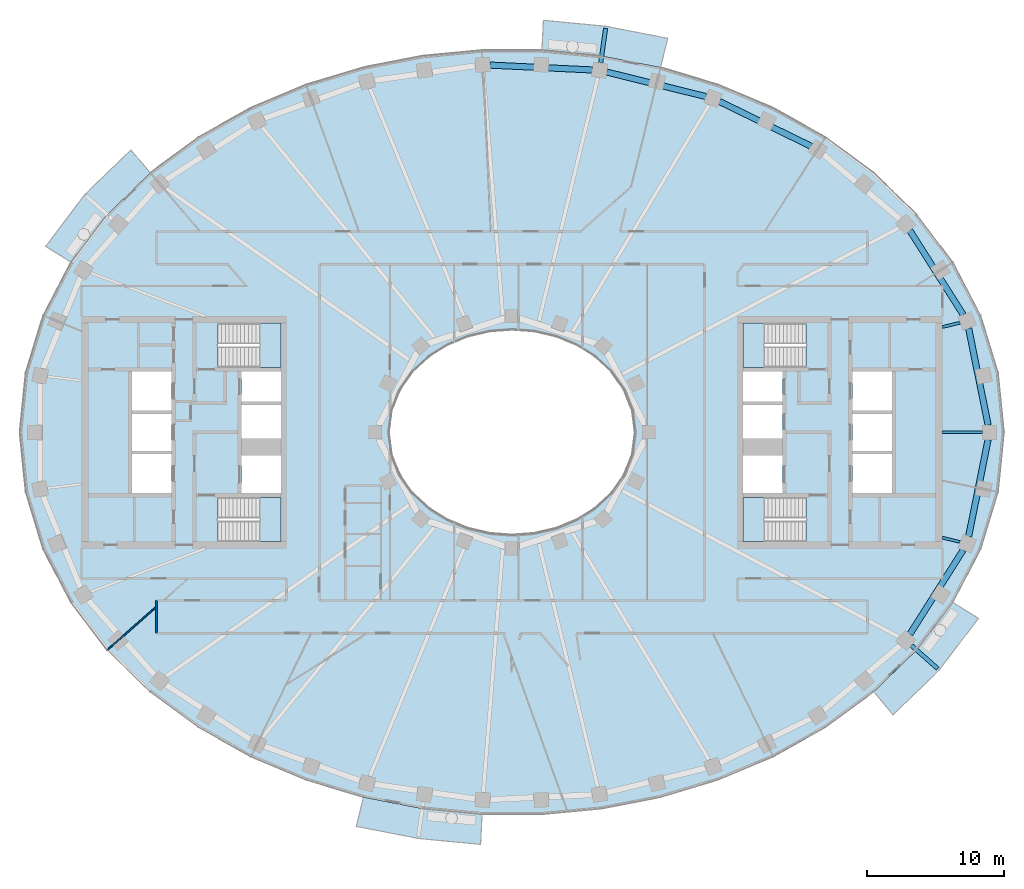
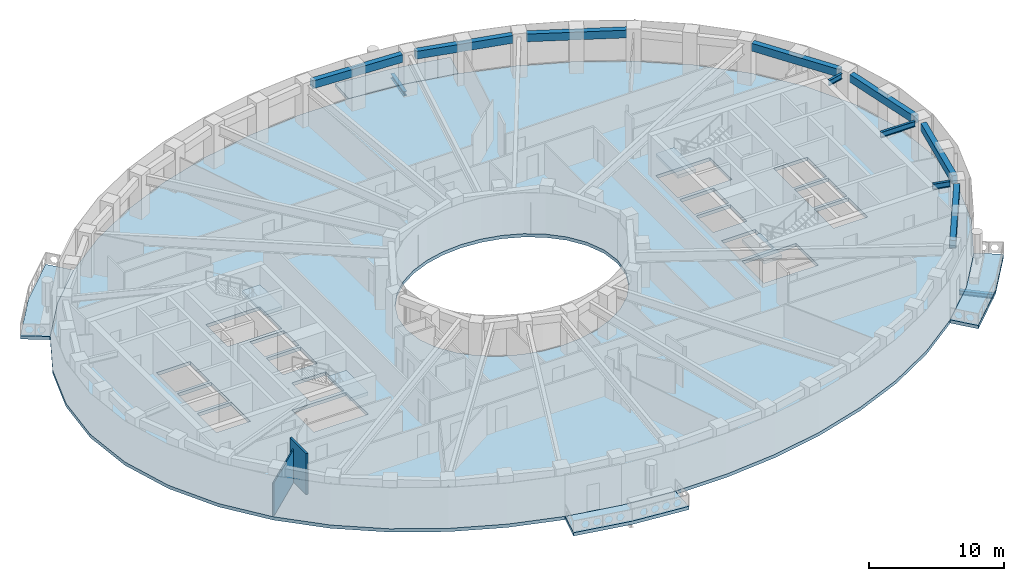
# One storey, part 2 of 16: 12 beams, 9 slabs, 2 walls, 4 elements without a shape of their own.
"""IFC4 building model written with IfcOpenShell, lengths in metres."""

from ifc_helpers import new_model, si_unit, direction, frame, frame_2d, origin, origin_2d, place, context, subcontext, project, spatial, polyline, rectangle, i_section, outline, extrude, material, layer, layer_set, material_profile, profile_set, type_object, element, aggregate, save


model = new_model("IFC4")

# Units and contexts
model_context = context("Model", 3, precision=1e-05, world=origin(), true_north=direction((0.0, 1.0)))
body_context = subcontext(model_context, "Body", "Model", "MODEL_VIEW")
ifc_project = project(units=[si_unit("LENGTHUNIT", "METRE"), si_unit("AREAUNIT", "SQUARE_METRE"), si_unit("VOLUMEUNIT", "CUBIC_METRE"), si_unit("PLANEANGLEUNIT", "RADIAN"), si_unit("MASSUNIT", "GRAM", prefix="KILO")], contexts=[model_context])

# Site, building, storey
site_placement = place(None, origin())
site = spatial("IfcSite", under=ifc_project, at=site_placement, CompositionType="ELEMENT")
building_placement = place(site_placement, origin())
building = spatial("IfcBuilding", under=site, at=building_placement, Name="Noorbagh Ring Tower", CompositionType="ELEMENT")
storey_placement = place(building_placement, frame((0.0, 0.0, 249.5)))
storey = spatial("IfcBuildingStorey", under=building, at=storey_placement, Name="L52", CompositionType="ELEMENT", Elevation=249.5)

# Beams
ifc_material_1 = material(Name="Steel S355", Category="steel")
ifc_material_profile_1 = material_profile(ifc_material_1, i_section(OverallWidth=0.300048828125, OverallDepth=0.39990234375, WebThickness=0.013427734375, FlangeThickness=0.02392578125, FilletRadius=0.027099609375, at=origin_2d()), Name="HEB400")
ifc_profile_set_1 = profile_set([ifc_material_profile_1], Name="Steel S355")
beam_type_1 = type_object("IfcBeamType", Name="STR-BALCONY-BRACKET-HEB400", PredefinedType="BEAM", material=ifc_profile_set_1)
beam_1_placement = place(storey_placement, frame((6.485107421875, 27.015380859375, -0.5), z_axis=(0.143041289678, 0.989716721819, 0.0), x_axis=(-0.989716721819, 0.143041289678, 0.0)))
element("IfcBeam", 1, at=beam_1_placement, inside=storey, type_object=beam_type_1, Name="Balcony bracket beam BN03", PredefinedType="BEAM", context=body_context, shape_type="SweptSolid", body=[
    extrude(i_section(OverallWidth=0.300048828125, OverallDepth=0.39990234375, WebThickness=0.013427734375, FlangeThickness=0.02392578125, FilletRadius=0.027099609375, at=origin_2d()), origin(), (0.0, 0.0, 1.0), 2.57373046875),
])
beam_2_placement = place(storey_placement, frame((29.2158203125, -15.58154296875, -0.5), z_axis=(0.749036305026, -0.662528953144, 0.0), x_axis=(0.662528953144, 0.749036305026, 0.0)))
element("IfcBeam", 2, at=beam_2_placement, inside=storey, type_object=beam_type_1, Name="Balcony bracket beam BS06", PredefinedType="BEAM", context=body_context, shape_type="SweptSolid", body=[
    extrude(i_section(OverallWidth=0.300048828125, OverallDepth=0.39990234375, WebThickness=0.013427734375, FlangeThickness=0.02392578125, FilletRadius=0.027099609375, at=origin_2d()), origin(), (0.0, 0.0, 1.0), 2.57958984375),
])
ifc_material_2 = material(Name="Steel S355", Category="steel")
ifc_material_profile_2 = material_profile(ifc_material_2, i_section(OverallWidth=0.199951171875, OverallDepth=0.5, WebThickness=0.01025390625, FlangeThickness=0.01611328125, FilletRadius=0.02099609375, at=origin_2d()), Name="IPE500")
ifc_profile_set_2 = profile_set([ifc_material_profile_2], Name="Steel S355")
beam_type_2 = type_object("IfcBeamType", Name="STR-RAD-IPE500", PredefinedType="BEAM", material=ifc_profile_set_2)
beam_3_placement = place(storey_placement, frame((34.414794921875, 0.0, 3.449951171875), z_axis=(-1.0, 0.0, 0.0), x_axis=(0.0, -1.0, 0.0)))
element("IfcBeam", 3, at=beam_3_placement, inside=storey, type_object=beam_type_2, Name="L52/bm/RD01", PredefinedType="BEAM", context=body_context, shape_type="SweptSolid", body=[
    extrude(i_section(OverallWidth=0.199951171875, OverallDepth=0.5, WebThickness=0.01025390625, FlangeThickness=0.01611328125, FilletRadius=0.02099609375, at=origin_2d()), origin(), (0.0, 0.0, 1.0), 2.934814453125),
])
for number, where, z_axis, x_axis, name in (
    (4, (32.784423828125, 8.02197265625, 3.449951171875), (-0.971339314725, -0.23769715116, 0.0), (0.23769715116, -0.971339314725, 0.0), "L52/bm/RD03"),
    (5, (32.784423828125, -8.02197265625, 3.449951171875), (-0.971339314725, 0.23769715116, 0.0), (-0.23769715116, -0.971339314725, 0.0), "L52/bm/RD45"),
):
    element("IfcBeam", number, at=place(storey_placement, frame(where, z_axis=z_axis, x_axis=x_axis)), inside=storey, type_object=beam_type_2, Name=name, PredefinedType="BEAM", context=body_context, shape_type="SweptSolid", body=[
        extrude(i_section(OverallWidth=0.199951171875, OverallDepth=0.5, WebThickness=0.01025390625, FlangeThickness=0.01611328125, FilletRadius=0.02099609375, at=origin_2d()), origin(), (0.0, 0.0, 1.0), 1.342529296875),
    ])
ifc_material_3 = material(Name="Concrete C40/50", Category="concrete")
ifc_material_profile_3 = material_profile(ifc_material_3, rectangle(XDim=0.449951171875, YDim=0.699951171875, at=origin_2d()), Name="RC450x700")
ifc_profile_set_3 = profile_set([ifc_material_profile_3], Name="Concrete C40/50")
beam_type_3 = type_object("IfcBeamType", Name="STR-SB-RC450x700-C40-50", PredefinedType="BEAM", material=ifc_profile_set_3)
beam_4_placement = place(storey_placement, frame((34.837890625, 0.5302734375, 3.35009765625), z_axis=(-0.197226195613, 0.980358009996, 0.0), x_axis=(-0.980358009996, -0.197226195613, 0.0)))
element("IfcBeam", 6, at=beam_4_placement, inside=storey, type_object=beam_type_3, Name="L52/bm/SP01", PredefinedType="BEAM", context=body_context, shape_type="SweptSolid", body=[
    extrude(rectangle(XDim=0.449951171875, YDim=0.699951171875, at=origin_2d()), origin(), (0.0, 0.0, 1.0), 7.231689453125),
])
beam_5_placement = place(storey_placement, frame((33.016845703125, 8.604248046875, 3.35009765625), z_axis=(-0.535181639591, 0.844737007977, 0.0), x_axis=(-0.844737007977, -0.535181639591, 0.0)))
element("IfcBeam", 7, at=beam_5_placement, inside=storey, type_object=beam_type_3, Name="L52/bm/SP03", PredefinedType="BEAM", context=body_context, shape_type="SweptSolid", body=[
    extrude(rectangle(XDim=0.449951171875, YDim=0.699951171875, at=origin_2d()), origin(), (0.0, 0.0, 1.0), 7.30712890625),
])
beam_6_placement = place(storey_placement, frame((21.88232421875, 20.934326171875, 3.35009765625), z_axis=(-0.898395566206, 0.43918721136, 0.0), x_axis=(-0.43918721136, -0.898395566206, 0.0)))
element("IfcBeam", 8, at=beam_6_placement, inside=storey, type_object=beam_type_3, Name="L52/bm/SP07", PredefinedType="BEAM", context=body_context, shape_type="SweptSolid", body=[
    extrude(rectangle(XDim=0.449951171875, YDim=0.699951171875, at=origin_2d()), origin(), (0.0, 0.0, 1.0), 7.45068359375),
])
beam_7_placement = place(storey_placement, frame((14.192138671875, 24.568603515625, 3.35009765625), z_axis=(-0.970829382675, 0.239771369713, 0.0), x_axis=(-0.239771369713, -0.970829382675, 0.0)))
element("IfcBeam", 9, at=beam_7_placement, inside=storey, type_object=beam_type_3, Name="L52/bm/SP09", PredefinedType="BEAM", context=body_context, shape_type="SweptSolid", body=[
    extrude(rectangle(XDim=0.449951171875, YDim=0.699951171875, at=origin_2d()), origin(), (0.0, 0.0, 1.0), 7.48388671875),
])
beam_8_placement = place(storey_placement, frame((5.877197265625, 26.51611328125, 3.35009765625), z_axis=(-0.998869095319, 0.047545035672, 0.0), x_axis=(-0.047545035672, -0.998869095319, 0.0)))
element("IfcBeam", 10, at=beam_8_placement, inside=storey, type_object=beam_type_3, Name="L52/bm/SP11", PredefinedType="BEAM", context=body_context, shape_type="SweptSolid", body=[
    extrude(rectangle(XDim=0.449951171875, YDim=0.699951171875, at=origin_2d()), origin(), (0.0, 0.0, 1.0), 7.4970703125),
])
beam_9_placement = place(storey_placement, frame((29.106201171875, -14.77685546875, 3.35009765625), z_axis=(0.535181639591, 0.844737007977, 0.0), x_axis=(-0.844737007977, 0.535181639591, 0.0)))
element("IfcBeam", 11, at=beam_9_placement, inside=storey, type_object=beam_type_3, Name="L52/bm/SP43", PredefinedType="BEAM", context=body_context, shape_type="SweptSolid", body=[
    extrude(rectangle(XDim=0.449951171875, YDim=0.699951171875, at=origin_2d()), origin(), (0.0, 0.0, 1.0), 7.30712890625),
])
beam_10_placement = place(storey_placement, frame((33.41162109375, -7.619873046875, 3.35009765625), z_axis=(0.197226195613, 0.980358009996, 0.0), x_axis=(-0.980358009996, 0.197226195613, 0.0)))
element("IfcBeam", 12, at=beam_10_placement, inside=storey, type_object=beam_type_3, Name="L52/bm/SP45", PredefinedType="BEAM", context=body_context, shape_type="SweptSolid", body=[
    extrude(rectangle(XDim=0.449951171875, YDim=0.699951171875, at=origin_2d()), origin(), (0.0, 0.0, 1.0), 7.231689453125),
])

# Stair, slab
ifc_material_4 = material(Name="Concrete C40/50", Category="concrete")
stair_type = type_object("IfcStairType", Name="CORE-STAIR", PredefinedType="HALF_TURN_STAIR", material=ifc_material_4)
stair_1_placement = place(storey_placement, origin())
stair_1 = element("IfcStair", 13, at=stair_1_placement, inside=storey, type_object=stair_type, Name="L52 Exit stair ST1", PredefinedType="HALF_TURN_STAIR")
ifc_material_5 = material(Name="Concrete C40/50", Category="concrete")
ifc_layer_1 = layer(ifc_material_5, 0.300048828125)
ifc_layer_set_1 = layer_set([ifc_layer_1], Name="Concrete C40/50")
slab_type_1 = type_object("IfcSlabType", Name="CORE-STAIR-LANDING", PredefinedType="LANDING", material=ifc_layer_set_1)
slab_1_placement = place(storey_placement, frame((0.0, 0.0, 1.699951171875)))
slab_1 = element("IfcSlab", 14, at=slab_1_placement, type_object=slab_type_1, Name="ST1 landing 1", PredefinedType="LANDING", context=body_context, shape_type="SweptSolid", body=[
    extrude(outline(polyline([(-18.449951171875, 4.75), (-16.89990234375, 4.75), (-16.89990234375, 8.0), (-18.449951171875, 8.0), (-18.449951171875, 4.75)])), origin(), (0.0, 0.0, 1.0), 0.300048828125),
])
aggregate(stair_1, [slab_1])

stair_2_placement = place(storey_placement, origin())
stair_2 = element("IfcStair", 15, at=stair_2_placement, inside=storey, type_object=stair_type, Name="L52 Exit stair ST2", PredefinedType="HALF_TURN_STAIR")
slab_2_placement = place(storey_placement, frame((0.0, 0.0, 1.699951171875)))
slab_2 = element("IfcSlab", 16, at=slab_2_placement, type_object=slab_type_1, Name="ST2 landing 1", PredefinedType="LANDING", context=body_context, shape_type="SweptSolid", body=[
    extrude(outline(polyline([(-18.449951171875, -8.0), (-16.89990234375, -8.0), (-16.89990234375, -4.75), (-18.449951171875, -4.75), (-18.449951171875, -8.0)])), origin(), (0.0, 0.0, 1.0), 0.300048828125),
])
aggregate(stair_2, [slab_2])

stair_3_placement = place(storey_placement, origin())
stair_3 = element("IfcStair", 17, at=stair_3_placement, inside=storey, type_object=stair_type, Name="L52 Exit stair ST3", PredefinedType="HALF_TURN_STAIR")
slab_3_placement = place(storey_placement, frame((0.0, 0.0, 1.699951171875)))
slab_3 = element("IfcSlab", 18, at=slab_3_placement, type_object=slab_type_1, Name="ST3 landing 1", PredefinedType="LANDING", context=body_context, shape_type="SweptSolid", body=[
    extrude(outline(polyline([(18.449951171875, 8.0), (16.89990234375, 8.0), (16.89990234375, 4.75), (18.449951171875, 4.75), (18.449951171875, 8.0)])), origin(), (0.0, 0.0, 1.0), 0.300048828125),
])
aggregate(stair_3, [slab_3])

stair_4_placement = place(storey_placement, origin())
stair_4 = element("IfcStair", 19, at=stair_4_placement, inside=storey, type_object=stair_type, Name="L52 Exit stair ST4", PredefinedType="HALF_TURN_STAIR")
slab_4_placement = place(storey_placement, frame((0.0, 0.0, 1.699951171875)))
slab_4 = element("IfcSlab", 20, at=slab_4_placement, type_object=slab_type_1, Name="ST4 landing 1", PredefinedType="LANDING", context=body_context, shape_type="SweptSolid", body=[
    extrude(outline(polyline([(18.449951171875, -4.75), (16.89990234375, -4.75), (16.89990234375, -8.0), (18.449951171875, -8.0), (18.449951171875, -4.75)])), origin(), (0.0, 0.0, 1.0), 0.300048828125),
])
aggregate(stair_4, [slab_4])

# Slabs
ifc_material_6 = material(Name="Concrete C40/50", Category="concrete")
ifc_layer_2 = layer(ifc_material_6, 0.300048828125)
ifc_layer_set_2 = layer_set([ifc_layer_2], Name="Concrete C40/50")
slab_type_2 = type_object("IfcSlabType", Name="ENV-BALCONY DECK 300", PredefinedType="FLOOR", material=ifc_layer_set_2)
slab_5_placement = place(storey_placement, frame((0.0, 0.0, -0.300048828125)))
element("IfcSlab", 21, at=slab_5_placement, inside=storey, type_object=slab_type_2, Name="Tree balcony deck BN03", PredefinedType="FLOOR", context=body_context, shape_type="SweptSolid", body=[
    extrude(outline(polyline([(11.3935546875, 28.832763671875), (6.874755859375, 29.711181640625), (2.2978515625, 30.14794921875), (2.193115234375, 27.947998046875), (6.5595703125, 27.53125), (10.865234375, 26.6943359375), (11.3935546875, 28.832763671875)])), origin(), (0.0, 0.0, 1.0), 0.300048828125),
])
slab_6_placement = place(storey_placement, frame((0.0, 0.0, -0.300048828125)))
element("IfcSlab", 22, at=slab_6_placement, inside=storey, type_object=slab_type_2, Name="Tree balcony deck BN06", PredefinedType="FLOOR", context=body_context, shape_type="SweptSolid", body=[
    extrude(outline(polyline([(-27.888671875, 20.665771484375), (-31.26025390625, 17.389892578125), (-34.120361328125, 13.615966796875), (-32.255126953125, 12.434814453125), (-29.607666015625, 15.92822265625), (-26.463134765625, 18.983154296875), (-27.888671875, 20.665771484375)])), origin(), (0.0, 0.0, 1.0), 0.300048828125),
])
slab_7_placement = place(storey_placement, frame((0.0, 0.0, -0.300048828125)))
element("IfcSlab", 23, at=slab_7_placement, inside=storey, type_object=slab_type_2, Name="Tree balcony deck BS03", PredefinedType="FLOOR", context=body_context, shape_type="SweptSolid", body=[
    extrude(outline(polyline([(-11.3935546875, -28.832763671875), (-6.874755859375, -29.711181640625), (-2.2978515625, -30.14794921875), (-2.193115234375, -27.947998046875), (-6.5595703125, -27.53125), (-10.865234375, -26.6943359375), (-11.3935546875, -28.832763671875)])), origin(), (0.0, 0.0, 1.0), 0.300048828125),
])
slab_8_placement = place(storey_placement, frame((0.0, 0.0, -0.300048828125)))
element("IfcSlab", 24, at=slab_8_placement, inside=storey, type_object=slab_type_2, Name="Tree balcony deck BS06", PredefinedType="FLOOR", context=body_context, shape_type="SweptSolid", body=[
    extrude(outline(polyline([(27.888671875, -20.665771484375), (31.26025390625, -17.389892578125), (34.120361328125, -13.615966796875), (32.255126953125, -12.434814453125), (29.607666015625, -15.92822265625), (26.463134765625, -18.983154296875), (27.888671875, -20.665771484375)])), origin(), (0.0, 0.0, 1.0), 0.300048828125),
])
ifc_material_7 = material(Name="Concrete C40/50", Category="concrete")
ifc_layer_3 = layer(ifc_material_7, 0.300048828125)
ifc_layer_set_3 = layer_set([ifc_layer_3], Name="Concrete C40/50")
slab_type_3 = type_object("IfcSlabType", Name="STR-FLOOR-DECK-300", PredefinedType="FLOOR", material=ifc_layer_set_3)
slab_9_placement = place(storey_placement, frame((0.0, 0.0, -0.300048828125)))
element("IfcSlab", 25, at=slab_9_placement, inside=storey, type_object=slab_type_3, Name="L52/slab/1", PredefinedType="FLOOR", context=body_context, shape_type="SweptSolid", body=[
    extrude(outline(polyline([(36.0, 0.0), (35.56103515625, 4.358642578125), (34.281005859375, 8.548828125), (32.255126953125, 12.434814453125), (29.607666015625, 15.92822265625), (26.463134765625, 18.983154296875), (22.9326171875, 21.583740234375), (19.108154296875, 23.730224609375), (15.0654296875, 25.430419921875), (10.865234375, 26.6943359375), (6.5595703125, 27.53125), (2.193115234375, 27.947998046875), (-2.193115234375, 27.947998046875), (-6.5595703125, 27.53125), (-10.865234375, 26.6943359375), (-15.0654296875, 25.430419921875), (-19.108154296875, 23.730224609375), (-22.9326171875, 21.583740234375), (-26.463134765625, 18.983154296875), (-29.607666015625, 15.92822265625), (-32.255126953125, 12.434814453125), (-34.281005859375, 8.548828125), (-35.56103515625, 4.358642578125), (-36.0, 0.0), (-35.56103515625, -4.358642578125), (-34.281005859375, -8.548828125), (-32.255126953125, -12.434814453125), (-29.607666015625, -15.92822265625), (-26.463134765625, -18.983154296875), (-22.9326171875, -21.583740234375), (-19.108154296875, -23.730224609375), (-15.0654296875, -25.430419921875), (-10.865234375, -26.6943359375), (-6.5595703125, -27.53125), (-2.193115234375, -27.947998046875), (2.193115234375, -27.947998046875), (6.5595703125, -27.53125), (10.865234375, -26.6943359375), (15.0654296875, -25.430419921875), (19.108154296875, -23.730224609375), (22.9326171875, -21.583740234375), (26.463134765625, -18.983154296875), (29.607666015625, -15.92822265625), (32.255126953125, -12.434814453125), (34.281005859375, -8.548828125), (35.56103515625, -4.358642578125), (36.0, 0.0)]), holes=[polyline([(24.89990234375, 4.449951171875), (27.800048828125, 4.449951171875), (27.800048828125, 1.60009765625), (24.89990234375, 1.60009765625), (24.89990234375, 4.449951171875)]), polyline([(24.89990234375, 1.35009765625), (27.800048828125, 1.35009765625), (27.800048828125, -1.35009765625), (24.89990234375, -1.35009765625), (24.89990234375, 1.35009765625)]), polyline([(24.89990234375, -1.60009765625), (27.800048828125, -1.60009765625), (27.800048828125, -4.449951171875), (24.89990234375, -4.449951171875), (24.89990234375, -1.60009765625)]), polyline([(21.529541015625, -8.0), (16.89990234375, -8.0), (16.89990234375, -4.75), (21.529541015625, -4.75), (21.529541015625, -8.0)]), polyline([(16.89990234375, 4.75), (16.89990234375, 8.0), (21.529541015625, 8.0), (21.529541015625, 4.75), (16.89990234375, 4.75)]), polyline([(19.800048828125, 4.449951171875), (19.800048828125, 2.25), (16.89990234375, 2.25), (16.89990234375, 4.449951171875), (19.800048828125, 4.449951171875)]), polyline([(16.89990234375, 2.0), (19.800048828125, 2.0), (19.800048828125, -0.449951171875), (16.89990234375, -0.449951171875), (16.89990234375, 2.0)]), polyline([(16.89990234375, -1.699951171875), (19.800048828125, -1.699951171875), (19.800048828125, -4.449951171875), (16.89990234375, -4.449951171875), (16.89990234375, -1.699951171875)]), polyline([(4.697509765625, -6.3974609375), (3.196533203125, -7.010986328125), (1.6171875, -7.3779296875), (0.0, -7.5), (-1.6171875, -7.3779296875), (-3.196533203125, -7.010986328125), (-4.697509765625, -6.3974609375), (-6.071044921875, -5.53662109375), (-7.2587890625, -4.43408203125), (-8.1904296875, -3.10888671875), (-8.79150390625, -1.605224609375), (-9.0, 0.0), (-8.79150390625, 1.605224609375), (-8.1904296875, 3.10888671875), (-7.2587890625, 4.43408203125), (-6.071044921875, 5.53662109375), (-4.697509765625, 6.3974609375), (-3.196533203125, 7.010986328125), (-1.6171875, 7.3779296875), (0.0, 7.5), (1.6171875, 7.3779296875), (3.196533203125, 7.010986328125), (4.697509765625, 6.3974609375), (6.071044921875, 5.53662109375), (7.2587890625, 4.43408203125), (8.1904296875, 3.10888671875), (8.79150390625, 1.605224609375), (9.0, 0.0), (8.79150390625, -1.605224609375), (8.1904296875, -3.10888671875), (7.2587890625, -4.43408203125), (6.071044921875, -5.53662109375), (4.697509765625, -6.3974609375)]), polyline([(-16.89990234375, 2.25), (-19.800048828125, 2.25), (-19.800048828125, 4.449951171875), (-16.89990234375, 4.449951171875), (-16.89990234375, 2.25)]), polyline([(-16.89990234375, -0.449951171875), (-19.800048828125, -0.449951171875), (-19.800048828125, 2.0), (-16.89990234375, 2.0), (-16.89990234375, -0.449951171875)]), polyline([(-16.89990234375, -4.449951171875), (-19.800048828125, -4.449951171875), (-19.800048828125, -1.699951171875), (-16.89990234375, -1.699951171875), (-16.89990234375, -4.449951171875)]), polyline([(-21.529541015625, 8.0), (-16.89990234375, 8.0), (-16.89990234375, 4.75), (-21.529541015625, 4.75), (-21.529541015625, 8.0)]), polyline([(-21.529541015625, -4.75), (-16.89990234375, -4.75), (-16.89990234375, -8.0), (-21.529541015625, -8.0), (-21.529541015625, -4.75)]), polyline([(-24.89990234375, -4.449951171875), (-27.800048828125, -4.449951171875), (-27.800048828125, -1.60009765625), (-24.89990234375, -1.60009765625), (-24.89990234375, -4.449951171875)]), polyline([(-24.89990234375, 1.60009765625), (-27.800048828125, 1.60009765625), (-27.800048828125, 4.449951171875), (-24.89990234375, 4.449951171875), (-24.89990234375, 1.60009765625)]), polyline([(-24.89990234375, -1.35009765625), (-27.800048828125, -1.35009765625), (-27.800048828125, 1.35009765625), (-24.89990234375, 1.35009765625), (-24.89990234375, -1.35009765625)])]), origin(), (0.0, 0.0, 1.0), 0.300048828125),
])

# Walls
ifc_material_8 = material(Name="Gypsum board on steel studs", Category="steel")
ifc_layer_4 = layer(ifc_material_8, 0.14990234375)
ifc_layer_set_4 = layer_set([ifc_layer_4], Name="Gypsum board on steel studs")
wall_type_1 = type_object("IfcWallType", Name="CORRIDOR PARTITION 150 EI 30", PredefinedType="PARTITIONING", material=ifc_layer_set_4)
wall_1_placement = place(storey_placement, frame((-26.0, -14.699951171875, 0.0), z_axis=(0.0, 0.0, 1.0), x_axis=(0.0, 1.0, 0.0)))
element("IfcWall", 26, at=wall_1_placement, inside=storey, type_object=wall_type_1, Name="L52/wall/P08", PredefinedType="PARTITIONING", context=body_context, shape_type="SweptSolid", body=[
    extrude(rectangle(XDim=2.39990234375, YDim=0.14990234375, at=frame_2d((1.199951171875, 0.0))), origin(), (0.0, 0.0, 1.0), 3.699951171875),
])
ifc_material_9 = material(Name="Gypsum board on steel studs", Category="steel")
ifc_layer_5 = layer(ifc_material_9, 0.10009765625)
ifc_layer_set_5 = layer_set([ifc_layer_5], Name="Gypsum board on steel studs")
wall_type_2 = type_object("IfcWallType", Name="PARTITION 100 GYPSUM", PredefinedType="PARTITIONING", material=ifc_layer_set_5)
wall_2_placement = place(storey_placement, frame((-29.569091796875, -15.89501953125, 0.0), z_axis=(0.0, 0.0, 1.0), x_axis=(0.748882694597, 0.662702580147, 0.0)))
element("IfcWall", 27, at=wall_2_placement, inside=storey, type_object=wall_type_2, Name="L52/wall/P06", PredefinedType="PARTITIONING", context=body_context, shape_type="SweptSolid", body=[
    extrude(rectangle(XDim=4.665771484375, YDim=0.10009765625, at=frame_2d((2.3330078125, 0.0))), origin(), (0.0, 0.0, 1.0), 3.0),
])

save(model, "model.ifc")
